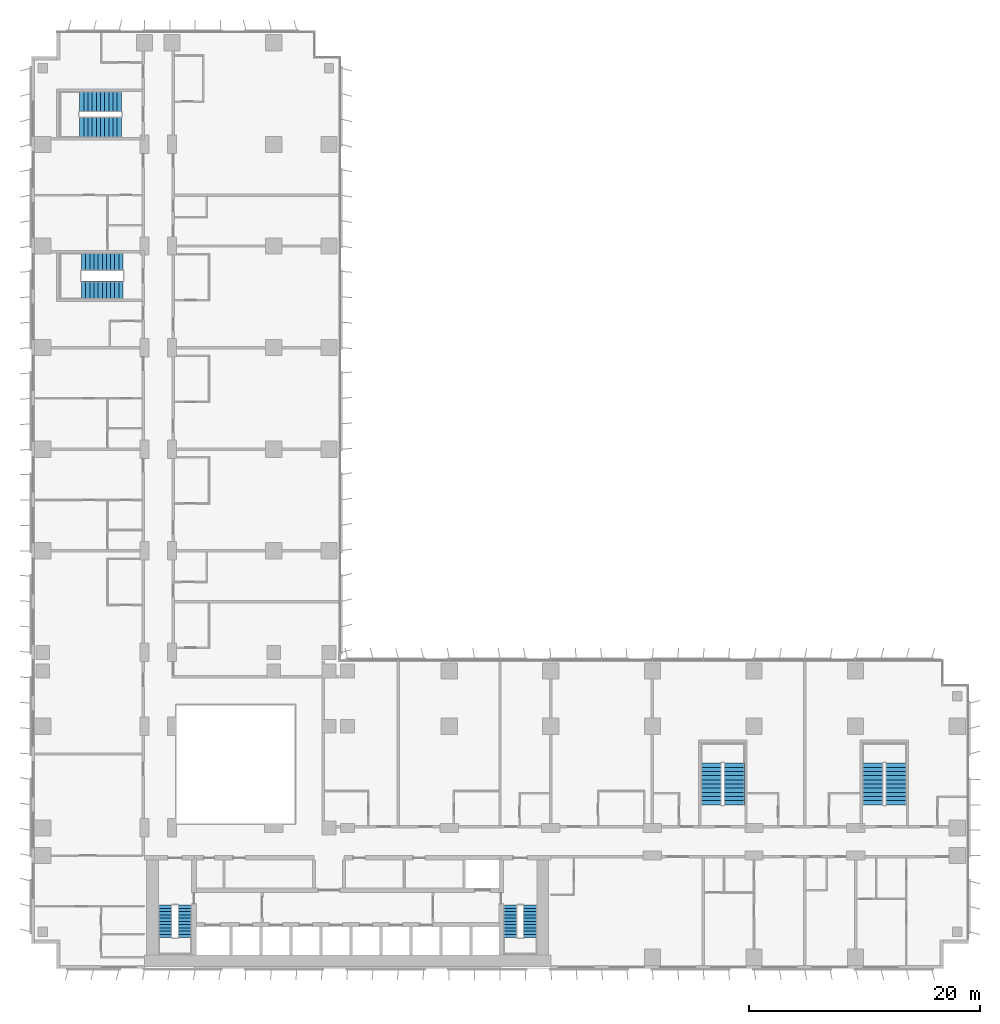
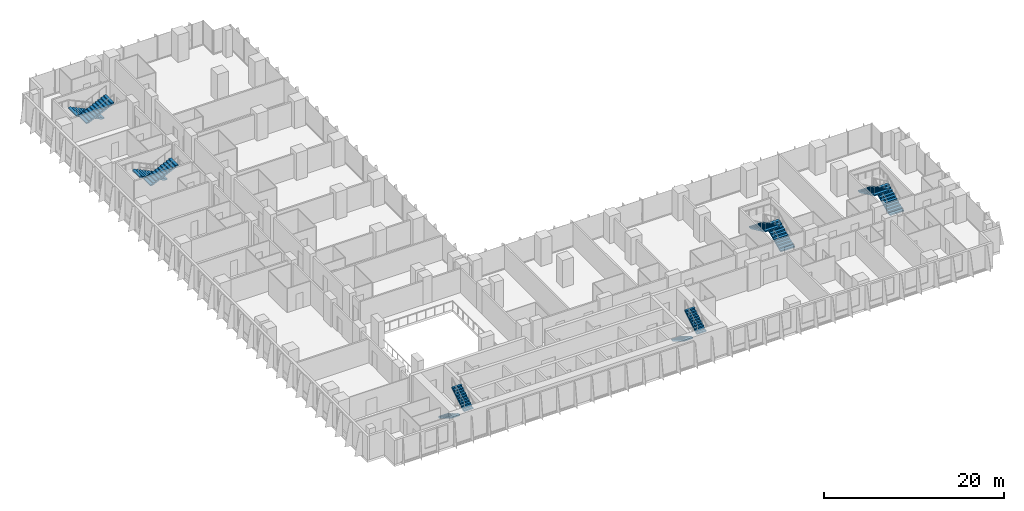
# One storey, part 20 of 24: 12 stair flights, 6 elements without a shape of their own.
"""IFC4 building model written with IfcOpenShell, lengths in metres."""

from ifc_helpers import new_model, si_unit, direction, frame, origin, place, context, subcontext, project, spatial, polyline, outline, extrude, material, type_object, element, aggregate, save


model = new_model("IFC4")

# Units and contexts
model_context = context("Model", 3, precision=1e-05, world=origin(), true_north=direction((0.0, 1.0)))
body_context = subcontext(model_context, "Body", "Model", "MODEL_VIEW")
ifc_project = project(units=[si_unit("LENGTHUNIT", "METRE"), si_unit("AREAUNIT", "SQUARE_METRE"), si_unit("VOLUMEUNIT", "CUBIC_METRE"), si_unit("PLANEANGLEUNIT", "RADIAN"), si_unit("MASSUNIT", "GRAM", prefix="KILO")], contexts=[model_context])

# Site, building, storey
site_placement = place(None, origin())
site = spatial("IfcSite", under=ifc_project, at=site_placement, CompositionType="ELEMENT")
building_placement = place(site_placement, origin())
building = spatial("IfcBuilding", under=site, at=building_placement, Name="Kemantara Hotel Tower", CompositionType="ELEMENT")
storey_placement = place(building_placement, frame((0.0, 0.0, 79.699951171875)))
storey = spatial("IfcBuildingStorey", under=building, at=storey_placement, Name="L18", CompositionType="ELEMENT", Elevation=79.699951171875)

# Stair, stair flights
ifc_material = material(Name="Concrete fc 40 MPa", Category="concrete")
stair_type_1 = type_object("IfcStairType", Name="Stair 1200 wide 22 risers of 168 x 280 mm", PredefinedType="HALF_TURN_STAIR", material=ifc_material)
stair_1_placement = place(storey_placement, origin())
stair_1 = element("IfcStair", 1, at=stair_1_placement, inside=storey, type_object=stair_type_1, Name="L18 Exit stair ST1", PredefinedType="HALF_TURN_STAIR")
stair_flight_type_1 = type_object("IfcStairFlightType", Name="Stair flight 1200 wide 168 x 280 mm", PredefinedType="STRAIGHT", material=ifc_material)
stair_flight_1_placement = place(storey_placement, frame((11.60009765625, 5.5, 0.0), z_axis=(0.0, 0.0, 1.0), x_axis=(0.0, -1.0, 0.0)))
stair_flight_1 = element("IfcStairFlight", 2, at=stair_flight_1_placement, type_object=stair_flight_type_1, Name="ST1 flight 1", NumberOfRisers=11, NumberOfTreads=10, PredefinedType="STRAIGHT", RiserHeight=0.168181818, TreadLength=0.28, context=body_context, shape_type="SweptSolid", body=[
    extrude(outline(polyline([(0.0, 0.0), (0.0, 0.168212890625), (0.280029296875, 0.168212890625), (0.280029296875, 0.33642578125), (0.56005859375, 0.33642578125), (0.56005859375, 0.504638671875), (0.840087890625, 0.504638671875), (0.840087890625, 0.672607421875), (1.1201171875, 0.672607421875), (1.1201171875, 0.8408203125), (1.39990234375, 0.8408203125), (1.39990234375, 1.009033203125), (1.679931640625, 1.009033203125), (1.679931640625, 1.17724609375), (1.9599609375, 1.17724609375), (1.9599609375, 1.345458984375), (2.239990234375, 1.345458984375), (2.239990234375, 1.513671875), (2.52001953125, 1.513671875), (2.52001953125, 1.681884765625), (2.800048828125, 1.681884765625), (2.800048828125, 1.85009765625), (2.800048828125, 1.5068359375), (0.291015625, 0.0), (0.0, 0.0)])), frame((0.0, 0.60009765625, 0.0), z_axis=(0.0, -1.0, 0.0), x_axis=(1.0, 0.0, 0.0)), (0.0, 0.0, 1.0), 1.199951171875),
])
stair_flight_2_placement = place(storey_placement, frame((13.300048828125, 2.699951171875, 1.85009765625), z_axis=(0.0, 0.0, 1.0), x_axis=(0.0, 1.0, 0.0)))
stair_flight_2 = element("IfcStairFlight", 3, at=stair_flight_2_placement, type_object=stair_flight_type_1, Name="ST1 flight 2", NumberOfRisers=11, NumberOfTreads=10, PredefinedType="STRAIGHT", RiserHeight=0.168181818, TreadLength=0.28, context=body_context, shape_type="SweptSolid", body=[
    extrude(outline(polyline([(0.0, 0.0), (0.0, 0.168212890625), (0.280029296875, 0.168212890625), (0.280029296875, 0.33642578125), (0.56005859375, 0.33642578125), (0.56005859375, 0.504638671875), (0.840087890625, 0.504638671875), (0.840087890625, 0.672607421875), (1.1201171875, 0.672607421875), (1.1201171875, 0.8408203125), (1.39990234375, 0.8408203125), (1.39990234375, 1.009033203125), (1.679931640625, 1.009033203125), (1.679931640625, 1.17724609375), (1.9599609375, 1.17724609375), (1.9599609375, 1.345458984375), (2.239990234375, 1.345458984375), (2.239990234375, 1.513671875), (2.52001953125, 1.513671875), (2.52001953125, 1.681884765625), (2.800048828125, 1.681884765625), (2.800048828125, 1.85009765625), (2.800048828125, 1.5068359375), (0.291015625, 0.0), (0.0, 0.0)])), frame((0.0, 0.60009765625, 0.0), z_axis=(0.0, -1.0, 0.0), x_axis=(1.0, 0.0, 0.0)), (0.0, 0.0, 1.0), 1.199951171875),
])
aggregate(stair_1, [stair_flight_1, stair_flight_2])

stair_2_placement = place(storey_placement, origin())
stair_2 = element("IfcStair", 4, at=stair_2_placement, inside=storey, type_object=stair_type_1, Name="L18 Exit stair ST2", PredefinedType="HALF_TURN_STAIR")
stair_flight_3_placement = place(storey_placement, frame((41.5, 5.5, 0.0), z_axis=(0.0, 0.0, 1.0), x_axis=(0.0, -1.0, 0.0)))
stair_flight_3 = element("IfcStairFlight", 5, at=stair_flight_3_placement, type_object=stair_flight_type_1, Name="ST2 flight 1", NumberOfRisers=11, NumberOfTreads=10, PredefinedType="STRAIGHT", RiserHeight=0.168181818, TreadLength=0.28, context=body_context, shape_type="SweptSolid", body=[
    extrude(outline(polyline([(0.0, 0.0), (0.0, 0.168212890625), (0.280029296875, 0.168212890625), (0.280029296875, 0.33642578125), (0.56005859375, 0.33642578125), (0.56005859375, 0.504638671875), (0.840087890625, 0.504638671875), (0.840087890625, 0.672607421875), (1.1201171875, 0.672607421875), (1.1201171875, 0.8408203125), (1.39990234375, 0.8408203125), (1.39990234375, 1.009033203125), (1.679931640625, 1.009033203125), (1.679931640625, 1.17724609375), (1.9599609375, 1.17724609375), (1.9599609375, 1.345458984375), (2.239990234375, 1.345458984375), (2.239990234375, 1.513671875), (2.52001953125, 1.513671875), (2.52001953125, 1.681884765625), (2.800048828125, 1.681884765625), (2.800048828125, 1.85009765625), (2.800048828125, 1.5068359375), (0.291015625, 0.0), (0.0, 0.0)])), frame((0.0, 0.60009765625, 0.0), z_axis=(0.0, -1.0, 0.0), x_axis=(1.0, 0.0, 0.0)), (0.0, 0.0, 1.0), 1.199951171875),
])
stair_flight_4_placement = place(storey_placement, frame((43.199951171875, 2.699951171875, 1.85009765625), z_axis=(0.0, 0.0, 1.0), x_axis=(0.0, 1.0, 0.0)))
stair_flight_4 = element("IfcStairFlight", 6, at=stair_flight_4_placement, type_object=stair_flight_type_1, Name="ST2 flight 2", NumberOfRisers=11, NumberOfTreads=10, PredefinedType="STRAIGHT", RiserHeight=0.168181818, TreadLength=0.28, context=body_context, shape_type="SweptSolid", body=[
    extrude(outline(polyline([(0.0, 0.0), (0.0, 0.168212890625), (0.280029296875, 0.168212890625), (0.280029296875, 0.33642578125), (0.56005859375, 0.33642578125), (0.56005859375, 0.504638671875), (0.840087890625, 0.504638671875), (0.840087890625, 0.672607421875), (1.1201171875, 0.672607421875), (1.1201171875, 0.8408203125), (1.39990234375, 0.8408203125), (1.39990234375, 1.009033203125), (1.679931640625, 1.009033203125), (1.679931640625, 1.17724609375), (1.9599609375, 1.17724609375), (1.9599609375, 1.345458984375), (2.239990234375, 1.345458984375), (2.239990234375, 1.513671875), (2.52001953125, 1.513671875), (2.52001953125, 1.681884765625), (2.800048828125, 1.681884765625), (2.800048828125, 1.85009765625), (2.800048828125, 1.5068359375), (0.291015625, 0.0), (0.0, 0.0)])), frame((0.0, 0.60009765625, 0.0), z_axis=(0.0, -1.0, 0.0), x_axis=(1.0, 0.0, 0.0)), (0.0, 0.0, 1.0), 1.199951171875),
])
aggregate(stair_2, [stair_flight_3, stair_flight_4])

stair_type_2 = type_object("IfcStairType", Name="Stair 1550 wide 22 risers of 168 x 360 mm", PredefinedType="HALF_TURN_STAIR", material=ifc_material)
stair_3_placement = place(storey_placement, origin())
stair_3 = element("IfcStair", 7, at=stair_3_placement, inside=storey, type_object=stair_type_2, Name="L18 Exit stair ST4", PredefinedType="HALF_TURN_STAIR")
stair_flight_type_2 = type_object("IfcStairFlightType", Name="Stair flight 1550 wide 168 x 360 mm", PredefinedType="STRAIGHT", material=ifc_material)
stair_flight_5_placement = place(storey_placement, frame((7.949951171875, 61.22509765625, 0.0), z_axis=(0.0, 0.0, 1.0), x_axis=(-1.0, 0.0, 0.0)))
stair_flight_5 = element("IfcStairFlight", 8, at=stair_flight_5_placement, type_object=stair_flight_type_2, Name="ST4 flight 1", NumberOfRisers=11, NumberOfTreads=10, PredefinedType="STRAIGHT", RiserHeight=0.168181818, TreadLength=0.36, context=body_context, shape_type="SweptSolid", body=[
    extrude(outline(polyline([(0.0, 0.0), (0.0, 0.168212890625), (0.360107421875, 0.168212890625), (0.360107421875, 0.33642578125), (0.719970703125, 0.33642578125), (0.719970703125, 0.504638671875), (1.080078125, 0.504638671875), (1.080078125, 0.672607421875), (1.43994140625, 0.672607421875), (1.43994140625, 0.8408203125), (1.800048828125, 0.8408203125), (1.800048828125, 1.009033203125), (2.159912109375, 1.009033203125), (2.159912109375, 1.17724609375), (2.52001953125, 1.17724609375), (2.52001953125, 1.345458984375), (2.8798828125, 1.345458984375), (2.8798828125, 1.513671875), (3.239990234375, 1.513671875), (3.239990234375, 1.681884765625), (3.60009765625, 1.681884765625), (3.60009765625, 1.85009765625), (3.60009765625, 1.516357421875), (0.354248046875, 0.0), (0.0, 0.0)])), frame((0.0, 0.77490234375, 0.0), z_axis=(0.0, -1.0, 0.0), x_axis=(1.0, 0.0, 0.0)), (0.0, 0.0, 1.0), 1.550048828125),
])
stair_flight_6_placement = place(storey_placement, frame((4.35009765625, 58.77490234375, 1.85009765625), z_axis=(0.0, 0.0, 1.0), x_axis=(1.0, 0.0, 0.0)))
stair_flight_6 = element("IfcStairFlight", 9, at=stair_flight_6_placement, type_object=stair_flight_type_2, Name="ST4 flight 2", NumberOfRisers=11, NumberOfTreads=10, PredefinedType="STRAIGHT", RiserHeight=0.168181818, TreadLength=0.36, context=body_context, shape_type="SweptSolid", body=[
    extrude(outline(polyline([(0.0, 0.0), (0.0, 0.168212890625), (0.360107421875, 0.168212890625), (0.360107421875, 0.33642578125), (0.719970703125, 0.33642578125), (0.719970703125, 0.504638671875), (1.080078125, 0.504638671875), (1.080078125, 0.672607421875), (1.43994140625, 0.672607421875), (1.43994140625, 0.8408203125), (1.800048828125, 0.8408203125), (1.800048828125, 1.009033203125), (2.159912109375, 1.009033203125), (2.159912109375, 1.17724609375), (2.52001953125, 1.17724609375), (2.52001953125, 1.345458984375), (2.8798828125, 1.345458984375), (2.8798828125, 1.513671875), (3.239990234375, 1.513671875), (3.239990234375, 1.681884765625), (3.60009765625, 1.681884765625), (3.60009765625, 1.85009765625), (3.60009765625, 1.516357421875), (0.354248046875, 0.0), (0.0, 0.0)])), frame((0.0, 0.77490234375, 0.0), z_axis=(0.0, -1.0, 0.0), x_axis=(1.0, 0.0, 0.0)), (0.0, 0.0, 1.0), 1.550048828125),
])
aggregate(stair_3, [stair_flight_5, stair_flight_6])

stair_type_3 = type_object("IfcStairType", Name="Stair 1800 wide 22 risers of 168 x 360 mm", PredefinedType="HALF_TURN_STAIR", material=ifc_material)
stair_4_placement = place(storey_placement, origin())
stair_4 = element("IfcStair", 10, at=stair_4_placement, inside=storey, type_object=stair_type_3, Name="L18 Exit stair ST3", PredefinedType="HALF_TURN_STAIR")
stair_flight_type_3 = type_object("IfcStairFlightType", Name="Stair flight 1800 wide 168 x 360 mm", PredefinedType="STRAIGHT", material=ifc_material)
stair_flight_7_placement = place(storey_placement, frame((60.89990234375, 14.199951171875, 0.0), z_axis=(0.0, 0.0, 1.0), x_axis=(0.0, 1.0, 0.0)))
stair_flight_7 = element("IfcStairFlight", 11, at=stair_flight_7_placement, type_object=stair_flight_type_3, Name="ST3 flight 1", NumberOfRisers=11, NumberOfTreads=10, PredefinedType="STRAIGHT", RiserHeight=0.168181818, TreadLength=0.36, context=body_context, shape_type="SweptSolid", body=[
    extrude(outline(polyline([(0.0, 0.0), (0.0, 0.168212890625), (0.360107421875, 0.168212890625), (0.360107421875, 0.33642578125), (0.719970703125, 0.33642578125), (0.719970703125, 0.504638671875), (1.080078125, 0.504638671875), (1.080078125, 0.672607421875), (1.43994140625, 0.672607421875), (1.43994140625, 0.8408203125), (1.800048828125, 0.8408203125), (1.800048828125, 1.009033203125), (2.159912109375, 1.009033203125), (2.159912109375, 1.17724609375), (2.52001953125, 1.17724609375), (2.52001953125, 1.345458984375), (2.8798828125, 1.345458984375), (2.8798828125, 1.513671875), (3.239990234375, 1.513671875), (3.239990234375, 1.681884765625), (3.60009765625, 1.681884765625), (3.60009765625, 1.85009765625), (3.60009765625, 1.516357421875), (0.354248046875, 0.0), (0.0, 0.0)])), frame((0.0, 0.89990234375, 0.0), z_axis=(0.0, -1.0, 0.0), x_axis=(1.0, 0.0, 0.0)), (0.0, 0.0, 1.0), 1.800048828125),
])
stair_flight_8_placement = place(storey_placement, frame((58.89990234375, 17.800048828125, 1.85009765625), z_axis=(0.0, 0.0, 1.0), x_axis=(0.0, -1.0, 0.0)))
stair_flight_8 = element("IfcStairFlight", 12, at=stair_flight_8_placement, type_object=stair_flight_type_3, Name="ST3 flight 2", NumberOfRisers=11, NumberOfTreads=10, PredefinedType="STRAIGHT", RiserHeight=0.168181818, TreadLength=0.36, context=body_context, shape_type="SweptSolid", body=[
    extrude(outline(polyline([(0.0, 0.0), (0.0, 0.168212890625), (0.360107421875, 0.168212890625), (0.360107421875, 0.33642578125), (0.719970703125, 0.33642578125), (0.719970703125, 0.504638671875), (1.080078125, 0.504638671875), (1.080078125, 0.672607421875), (1.43994140625, 0.672607421875), (1.43994140625, 0.8408203125), (1.800048828125, 0.8408203125), (1.800048828125, 1.009033203125), (2.159912109375, 1.009033203125), (2.159912109375, 1.17724609375), (2.52001953125, 1.17724609375), (2.52001953125, 1.345458984375), (2.8798828125, 1.345458984375), (2.8798828125, 1.513671875), (3.239990234375, 1.513671875), (3.239990234375, 1.681884765625), (3.60009765625, 1.681884765625), (3.60009765625, 1.85009765625), (3.60009765625, 1.516357421875), (0.354248046875, 0.0), (0.0, 0.0)])), frame((0.0, 0.89990234375, 0.0), z_axis=(0.0, -1.0, 0.0), x_axis=(1.0, 0.0, 0.0)), (0.0, 0.0, 1.0), 1.800048828125),
])
aggregate(stair_4, [stair_flight_7, stair_flight_8])

stair_5_placement = place(storey_placement, origin())
stair_5 = element("IfcStair", 13, at=stair_5_placement, inside=storey, type_object=stair_type_3, Name="L18 Exit stair ST5", PredefinedType="HALF_TURN_STAIR")
stair_flight_9_placement = place(storey_placement, frame((74.89990234375, 14.199951171875, 0.0), z_axis=(0.0, 0.0, 1.0), x_axis=(0.0, 1.0, 0.0)))
stair_flight_9 = element("IfcStairFlight", 14, at=stair_flight_9_placement, type_object=stair_flight_type_3, Name="ST5 flight 1", NumberOfRisers=11, NumberOfTreads=10, PredefinedType="STRAIGHT", RiserHeight=0.168181818, TreadLength=0.36, context=body_context, shape_type="SweptSolid", body=[
    extrude(outline(polyline([(0.0, 0.0), (0.0, 0.168212890625), (0.360107421875, 0.168212890625), (0.360107421875, 0.33642578125), (0.719970703125, 0.33642578125), (0.719970703125, 0.504638671875), (1.080078125, 0.504638671875), (1.080078125, 0.672607421875), (1.43994140625, 0.672607421875), (1.43994140625, 0.8408203125), (1.800048828125, 0.8408203125), (1.800048828125, 1.009033203125), (2.159912109375, 1.009033203125), (2.159912109375, 1.17724609375), (2.52001953125, 1.17724609375), (2.52001953125, 1.345458984375), (2.8798828125, 1.345458984375), (2.8798828125, 1.513671875), (3.239990234375, 1.513671875), (3.239990234375, 1.681884765625), (3.60009765625, 1.681884765625), (3.60009765625, 1.85009765625), (3.60009765625, 1.516357421875), (0.354248046875, 0.0), (0.0, 0.0)])), frame((0.0, 0.89990234375, 0.0), z_axis=(0.0, -1.0, 0.0), x_axis=(1.0, 0.0, 0.0)), (0.0, 0.0, 1.0), 1.800048828125),
])
stair_flight_10_placement = place(storey_placement, frame((72.89990234375, 17.800048828125, 1.85009765625), z_axis=(0.0, 0.0, 1.0), x_axis=(0.0, -1.0, 0.0)))
stair_flight_10 = element("IfcStairFlight", 15, at=stair_flight_10_placement, type_object=stair_flight_type_3, Name="ST5 flight 2", NumberOfRisers=11, NumberOfTreads=10, PredefinedType="STRAIGHT", RiserHeight=0.168181818, TreadLength=0.36, context=body_context, shape_type="SweptSolid", body=[
    extrude(outline(polyline([(0.0, 0.0), (0.0, 0.168212890625), (0.360107421875, 0.168212890625), (0.360107421875, 0.33642578125), (0.719970703125, 0.33642578125), (0.719970703125, 0.504638671875), (1.080078125, 0.504638671875), (1.080078125, 0.672607421875), (1.43994140625, 0.672607421875), (1.43994140625, 0.8408203125), (1.800048828125, 0.8408203125), (1.800048828125, 1.009033203125), (2.159912109375, 1.009033203125), (2.159912109375, 1.17724609375), (2.52001953125, 1.17724609375), (2.52001953125, 1.345458984375), (2.8798828125, 1.345458984375), (2.8798828125, 1.513671875), (3.239990234375, 1.513671875), (3.239990234375, 1.681884765625), (3.60009765625, 1.681884765625), (3.60009765625, 1.85009765625), (3.60009765625, 1.516357421875), (0.354248046875, 0.0), (0.0, 0.0)])), frame((0.0, 0.89990234375, 0.0), z_axis=(0.0, -1.0, 0.0), x_axis=(1.0, 0.0, 0.0)), (0.0, 0.0, 1.0), 1.800048828125),
])
aggregate(stair_5, [stair_flight_9, stair_flight_10])

stair_6_placement = place(storey_placement, origin())
stair_6 = element("IfcStair", 16, at=stair_6_placement, inside=storey, type_object=stair_type_3, Name="L18 Exit stair ST6", PredefinedType="HALF_TURN_STAIR")
stair_flight_11_placement = place(storey_placement, frame((7.800048828125, 75.10009765625, 0.0), z_axis=(0.0, 0.0, 1.0), x_axis=(-1.0, 0.0, 0.0)))
stair_flight_11 = element("IfcStairFlight", 17, at=stair_flight_11_placement, type_object=stair_flight_type_3, Name="ST6 flight 1", NumberOfRisers=11, NumberOfTreads=10, PredefinedType="STRAIGHT", RiserHeight=0.168181818, TreadLength=0.36, context=body_context, shape_type="SweptSolid", body=[
    extrude(outline(polyline([(0.0, 0.0), (0.0, 0.168212890625), (0.360107421875, 0.168212890625), (0.360107421875, 0.33642578125), (0.719970703125, 0.33642578125), (0.719970703125, 0.504638671875), (1.080078125, 0.504638671875), (1.080078125, 0.672607421875), (1.43994140625, 0.672607421875), (1.43994140625, 0.8408203125), (1.800048828125, 0.8408203125), (1.800048828125, 1.009033203125), (2.159912109375, 1.009033203125), (2.159912109375, 1.17724609375), (2.52001953125, 1.17724609375), (2.52001953125, 1.345458984375), (2.8798828125, 1.345458984375), (2.8798828125, 1.513671875), (3.239990234375, 1.513671875), (3.239990234375, 1.681884765625), (3.60009765625, 1.681884765625), (3.60009765625, 1.85009765625), (3.60009765625, 1.516357421875), (0.354248046875, 0.0), (0.0, 0.0)])), frame((0.0, 0.89990234375, 0.0), z_axis=(0.0, -1.0, 0.0), x_axis=(1.0, 0.0, 0.0)), (0.0, 0.0, 1.0), 1.800048828125),
])
stair_flight_12_placement = place(storey_placement, frame((4.199951171875, 72.89990234375, 1.85009765625), z_axis=(0.0, 0.0, 1.0), x_axis=(1.0, 0.0, 0.0)))
stair_flight_12 = element("IfcStairFlight", 18, at=stair_flight_12_placement, type_object=stair_flight_type_3, Name="ST6 flight 2", NumberOfRisers=11, NumberOfTreads=10, PredefinedType="STRAIGHT", RiserHeight=0.168181818, TreadLength=0.36, context=body_context, shape_type="SweptSolid", body=[
    extrude(outline(polyline([(0.0, 0.0), (0.0, 0.168212890625), (0.360107421875, 0.168212890625), (0.360107421875, 0.33642578125), (0.719970703125, 0.33642578125), (0.719970703125, 0.504638671875), (1.080078125, 0.504638671875), (1.080078125, 0.672607421875), (1.43994140625, 0.672607421875), (1.43994140625, 0.8408203125), (1.800048828125, 0.8408203125), (1.800048828125, 1.009033203125), (2.159912109375, 1.009033203125), (2.159912109375, 1.17724609375), (2.52001953125, 1.17724609375), (2.52001953125, 1.345458984375), (2.8798828125, 1.345458984375), (2.8798828125, 1.513671875), (3.239990234375, 1.513671875), (3.239990234375, 1.681884765625), (3.60009765625, 1.681884765625), (3.60009765625, 1.85009765625), (3.60009765625, 1.516357421875), (0.354248046875, 0.0), (0.0, 0.0)])), frame((0.0, 0.89990234375, 0.0), z_axis=(0.0, -1.0, 0.0), x_axis=(1.0, 0.0, 0.0)), (0.0, 0.0, 1.0), 1.800048828125),
])
aggregate(stair_6, [stair_flight_11, stair_flight_12])

save(model, "model.ifc")
